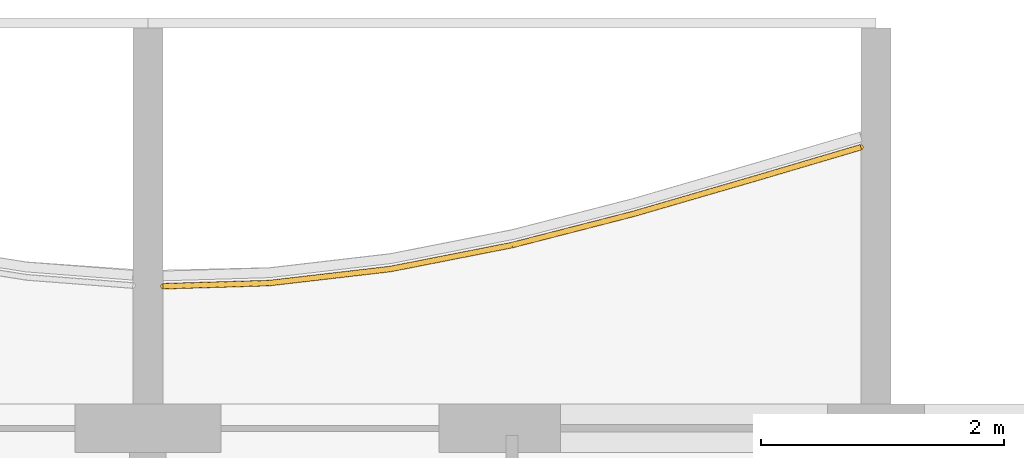
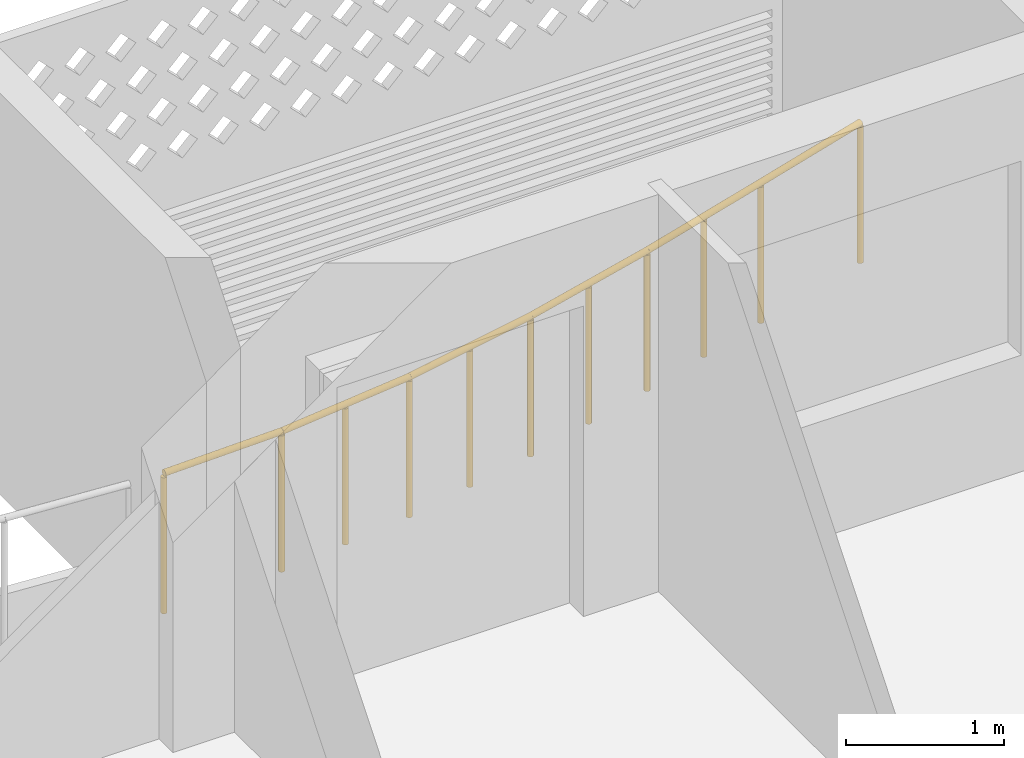
# One storey, part 24 of 33: 1 railing.
"""IFC4 building model written with IfcOpenShell, lengths in metres."""

from ifc_helpers import new_model, si_unit, direction, frame, origin, origin_2d, place, context, subcontext, project, spatial, circle, extrude, material, type_object, element, save


model = new_model("IFC4")

# Units and contexts
model_context = context("Model", 3, precision=1e-05, world=origin(), true_north=direction((0.0, 1.0)))
body_context = subcontext(model_context, "Body", "Model", "MODEL_VIEW")
ifc_project = project(units=[si_unit("LENGTHUNIT", "METRE"), si_unit("AREAUNIT", "SQUARE_METRE"), si_unit("VOLUMEUNIT", "CUBIC_METRE"), si_unit("PLANEANGLEUNIT", "RADIAN"), si_unit("MASSUNIT", "GRAM", prefix="KILO")], contexts=[model_context])

# Site, building, storey
site_placement = place(None, origin())
site = spatial("IfcSite", under=ifc_project, at=site_placement, CompositionType="ELEMENT")
building_placement = place(site_placement, origin())
building = spatial("IfcBuilding", under=site, at=building_placement, Name="Poui Terraces", CompositionType="ELEMENT")
storey_placement = place(building_placement, frame((0.0, 0.0, 132.300048828125)))
storey = spatial("IfcBuildingStorey", under=building, at=storey_placement, Name="L36", CompositionType="ELEMENT", Elevation=132.300048828125)

# Railing
ifc_material = material(Name="Painted steel fretwork", Category="steel")
railing_type = type_object("IfcRailingType", Name="BALCONY GUARD 1100", PredefinedType="GUARDRAIL", material=ifc_material)
railing_placement = place(storey_placement, frame((42.125, 43.57080078125, 0.0)))
element("IfcRailing", 1, at=railing_placement, inside=storey, type_object=railing_type, Name="BALCONY GUARD", PredefinedType="GUARDRAIL", context=body_context, shape_type="SweptSolid", body=[
    extrude(circle(Radius=0.02392578125, at=origin_2d()), frame((0.0, 0.0, 1.076171875), z_axis=(0.999554639848, 0.029841614527, 0.0), x_axis=(-0.029841614527, 0.999554639848, 0.0)), (0.0, 0.0, 1.0), 0.87548828125),
    extrude(circle(Radius=0.02392578125, at=origin_2d()), frame((0.875, 0.026123046875, 1.076171875), z_axis=(0.993315142472, 0.11543408394, 0.0), x_axis=(-0.11543408394, 0.993315142472, 0.0)), (0.0, 0.0, 1.0), 1.0068359375),
    extrude(circle(Radius=0.02392578125, at=origin_2d()), frame((1.875, 0.142333984375, 1.076171875), z_axis=(0.981184042676, 0.193074789648, 0.0), x_axis=(-0.193074789648, 0.981184042676, 0.0)), (0.0, 0.0, 1.0), 1.019287109375),
    extrude(circle(Radius=0.02392578125, at=origin_2d()), frame((2.875, 0.339111328125, 1.076171875), z_axis=(0.968507596014, 0.248984008448, 0.0), x_axis=(-0.248984008448, 0.968507596014, 0.0)), (0.0, 0.0, 1.0), 1.032470703125),
    extrude(circle(Radius=0.02392578125, at=origin_2d()), frame((3.875, 0.59619140625, 1.076171875), z_axis=(0.960230728662, 0.279207714316, 0.0), x_axis=(-0.279207714316, 0.960230728662, 0.0)), (0.0, 0.0, 1.0), 1.04150390625),
    extrude(circle(Radius=0.02392578125, at=origin_2d()), frame((4.875, 0.886962890625, 1.076171875), z_axis=(0.959011097716, 0.283368513527, 0.0), x_axis=(-0.283368513527, 0.959011097716, 0.0)), (0.0, 0.0, 1.0), 0.912353515625),
    extrude(circle(Radius=0.02099609375, at=origin_2d()), origin(), (0.0, 0.0, 1.0), 1.052001953125),
    extrude(circle(Radius=0.02099609375, at=origin_2d()), frame((0.875, 0.026123046875, 0.0)), (0.0, 0.0, 1.0), 1.052001953125),
    extrude(circle(Radius=0.02099609375, at=origin_2d()), frame((1.375, 0.084228515625, 0.0)), (0.0, 0.0, 1.0), 1.052001953125),
    extrude(circle(Radius=0.02099609375, at=origin_2d()), frame((1.875, 0.142333984375, 0.0)), (0.0, 0.0, 1.0), 1.052001953125),
    extrude(circle(Radius=0.02099609375, at=origin_2d()), frame((2.375, 0.24072265625, 0.0)), (0.0, 0.0, 1.0), 1.052001953125),
    extrude(circle(Radius=0.02099609375, at=origin_2d()), frame((2.875, 0.339111328125, 0.0)), (0.0, 0.0, 1.0), 1.052001953125),
    extrude(circle(Radius=0.02099609375, at=origin_2d()), frame((3.375, 0.4677734375, 0.0)), (0.0, 0.0, 1.0), 1.052001953125),
    extrude(circle(Radius=0.02099609375, at=origin_2d()), frame((3.875, 0.59619140625, 0.0)), (0.0, 0.0, 1.0), 1.052001953125),
    extrude(circle(Radius=0.02099609375, at=origin_2d()), frame((4.375, 0.74169921875, 0.0)), (0.0, 0.0, 1.0), 1.052001953125),
    extrude(circle(Radius=0.02099609375, at=origin_2d()), frame((4.875, 0.886962890625, 0.0)), (0.0, 0.0, 1.0), 1.052001953125),
    extrude(circle(Radius=0.02099609375, at=origin_2d()), frame((5.75, 1.1455078125, 0.0)), (0.0, 0.0, 1.0), 1.052001953125),
])

save(model, "model.ifc")
